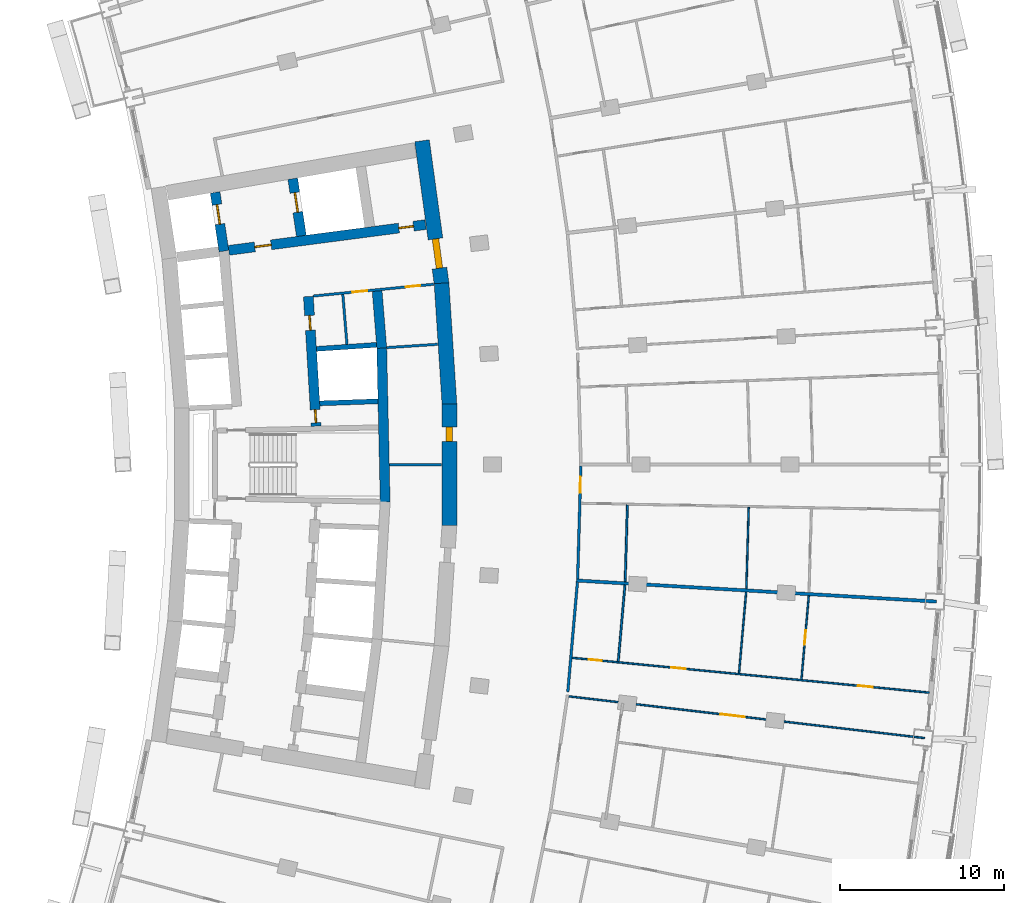
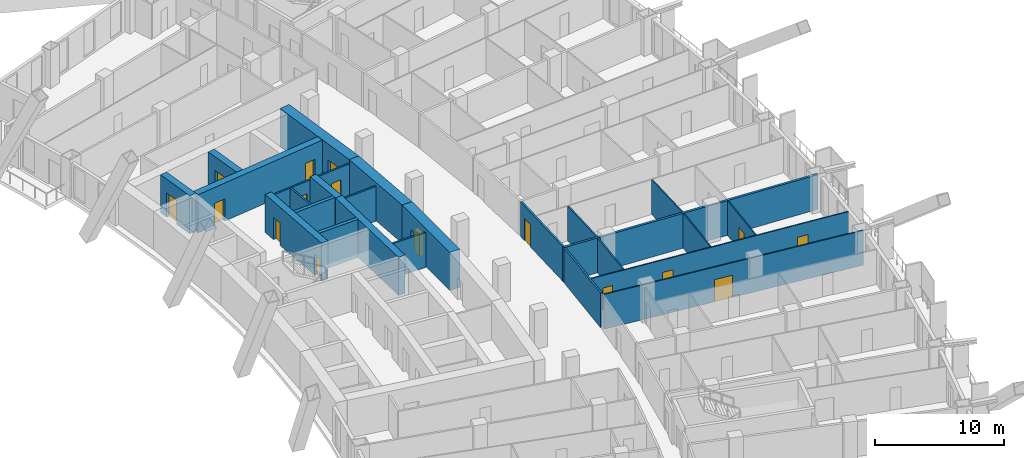
# One storey, part 17 of 25: 25 walls, 16 doors, 16 openings.
"""IFC4 building model written with IfcOpenShell, lengths in metres."""

from ifc_helpers import new_model, si_unit, direction, frame, frame_2d, origin, place, context, subcontext, project, spatial, rectangle, extrude, material, layer, layer_set, type_object, element, fill, save


model = new_model("IFC4")

# Units and contexts
model_context = context("Model", 3, precision=1e-05, world=origin(), true_north=direction((0.0, 1.0)))
body_context = subcontext(model_context, "Body", "Model", "MODEL_VIEW")
ifc_project = project(units=[si_unit("LENGTHUNIT", "METRE"), si_unit("AREAUNIT", "SQUARE_METRE"), si_unit("VOLUMEUNIT", "CUBIC_METRE"), si_unit("PLANEANGLEUNIT", "RADIAN"), si_unit("MASSUNIT", "GRAM", prefix="KILO")], contexts=[model_context])

# Site, building, storey
site_placement = place(None, origin())
site = spatial("IfcSite", under=ifc_project, at=site_placement, CompositionType="ELEMENT")
building_placement = place(site_placement, origin())
building = spatial("IfcBuilding", under=site, at=building_placement, Name="Alderwake Tower", CompositionType="ELEMENT")
storey_placement = place(building_placement, frame((0.0, 0.0, 42.800048828125)))
storey = spatial("IfcBuildingStorey", under=building, at=storey_placement, Name="L09", CompositionType="ELEMENT", Elevation=42.800048828125)

# Walls
ifc_material_1 = material(Name="Gypsum shaft wall system, rated")
ifc_layer_1 = layer(ifc_material_1, 0.14990234375)
ifc_layer_set_1 = layer_set([ifc_layer_1], Name="Core room partition 150")
wall_type_1 = type_object("IfcWallType", Name="Core room partition 150", PredefinedType="PARTITIONING", material=ifc_layer_set_1)
wall_1_placement = place(storey_placement, frame((26.94970703125, 68.3203125, 0.0), z_axis=(0.0, 0.0, 1.0), x_axis=(-0.082463525817, 0.996594083321, 0.0)))
element("IfcWall", 1, at=wall_1_placement, inside=storey, type_object=wall_type_1, Name="CW/L09/PA+107_+70", PredefinedType="PARTITIONING", context=body_context, shape_type="SweptSolid", body=[
    extrude(rectangle(XDim=3.055419921875, YDim=0.14990234375, at=frame_2d((1.52783203125, 0.0))), origin(), (0.0, 0.0, 1.0), 3.280029296875),
])
wall_2_placement = place(storey_placement, frame((29.526123046875, 61.0, 0.0), z_axis=(0.0, 0.0, 1.0), x_axis=(1.0, 0.0, 0.0)))
element("IfcWall", 2, at=wall_2_placement, inside=storey, type_object=wall_type_1, Name="CW/L09/PR+0_+128", PredefinedType="PARTITIONING", context=body_context, shape_type="SweptSolid", body=[
    extrude(rectangle(XDim=3.18408203125, YDim=0.14990234375, at=frame_2d((1.592041015625, 0.0))), origin(), (0.0, 0.0, 1.0), 3.280029296875),
])
wall_3_placement = place(storey_placement, frame((29.36865234375, 68.1220703125, 0.0), z_axis=(0.0, 0.0, 1.0), x_axis=(0.997885090452, 0.065002663433, 0.0)))
element("IfcWall", 3, at=wall_3_placement, inside=storey, type_object=wall_type_1, Name="CW/L09/PR+68_+128", PredefinedType="PARTITIONING", context=body_context, shape_type="SweptSolid", body=[
    extrude(rectangle(XDim=3.10986328125, YDim=0.14990234375, at=frame_2d((1.554931640625, 0.0))), origin(), (0.0, 0.0, 1.0), 3.280029296875),
])

# Wall, openings, doors
wall_4_placement = place(storey_placement, frame((32.233642578125, 71.982177734375, 0.0), z_axis=(0.0, 0.0, 1.0), x_axis=(-0.995245540971, -0.097397706226, 0.0)))
wall_4 = element("IfcWall", 4, at=wall_4_placement, inside=storey, type_object=wall_type_1, Name="CW/L09/PR+102_+86", PredefinedType="PARTITIONING", context=body_context, shape_type="SweptSolid", body=[
    extrude(rectangle(XDim=7.36962890625, YDim=0.14990234375, at=frame_2d((3.684814453125, 0.0))), origin(), (0.0, 0.0, 1.0), 3.280029296875),
])
opening_1_placement = place(wall_4_placement, frame((4.069580078125, 0.0, 0.0)))
opening_1 = element("IfcOpeningElement", 5, at=opening_1_placement, cuts=wall_4, Name="Opening C022", PredefinedType="OPENING", context=body_context, shape_type="SweptSolid", body=[
    extrude(rectangle(XDim=0.89990234375, YDim=2.10009765625, at=frame_2d((0.449951171875, 1.050048828125))), frame((0.0, 0.0849609375, 0.0), z_axis=(0.0, -1.0, 0.0), x_axis=(1.0, 0.0, 0.0)), (0.0, 0.0, 1.0), 0.169921875),
])
opening_2_placement = place(wall_4_placement, frame((0.819580078125, 0.0, 0.0)))
opening_2 = element("IfcOpeningElement", 6, at=opening_2_placement, cuts=wall_4, Name="Opening C036", PredefinedType="OPENING", context=body_context, shape_type="SweptSolid", body=[
    extrude(rectangle(XDim=0.89990234375, YDim=2.10009765625, at=frame_2d((0.449951171875, 1.050048828125))), frame((0.0, 0.0849609375, 0.0), z_axis=(0.0, -1.0, 0.0), x_axis=(1.0, 0.0, 0.0)), (0.0, 0.0, 1.0), 0.169921875),
])
ifc_material_2 = material(Name="Painted steel leaf", Category="steel")
door_type_1 = type_object("IfcDoorType", Name="Core room door 900", OperationType="SINGLE_SWING_LEFT", PredefinedType="DOOR", material=ifc_material_2)
door_1_placement = place(opening_1_placement, origin())
door_1 = element("IfcDoor", 7, at=door_1_placement, inside=storey, type_object=door_type_1, Name="Room door", OperationType="SINGLE_SWING_RIGHT", OverallHeight=2.10009765625, OverallWidth=0.89990234375, PredefinedType="DOOR", context=body_context, shape_type="SweptSolid", body=[
    extrude(rectangle(XDim=0.89990234375, YDim=2.10009765625, at=frame_2d((0.449951171875, 1.050048828125))), frame((0.0, 0.02490234375, 0.0), z_axis=(0.0, -1.0, 0.0), x_axis=(1.0, 0.0, 0.0)), (0.0, 0.0, 1.0), 0.050048828125),
])
fill(opening_1, door_1)
door_2_placement = place(opening_2_placement, origin())
door_2 = element("IfcDoor", 8, at=door_2_placement, inside=storey, type_object=door_type_1, Name="Room door", OperationType="SINGLE_SWING_RIGHT", OverallHeight=2.10009765625, OverallWidth=0.89990234375, PredefinedType="DOOR", context=body_context, shape_type="SweptSolid", body=[
    extrude(rectangle(XDim=0.89990234375, YDim=2.10009765625, at=frame_2d((0.449951171875, 1.050048828125))), frame((0.0, 0.02490234375, 0.0), z_axis=(0.0, -1.0, 0.0), x_axis=(1.0, 0.0, 0.0)), (0.0, 0.0, 1.0), 0.050048828125),
])
fill(opening_2, door_2)

# Wall, opening, door
ifc_material_3 = material(Name="Concrete C70/85", Category="concrete")
ifc_layer_2 = layer(ifc_material_3, 0.89990234375)
ifc_layer_set_2 = layer_set([ifc_layer_2], Name="Core wall outer 900 C70-85")
wall_type_2 = type_object("IfcWallType", Name="Core wall outer 900 C70-85", PredefinedType="SHEAR", material=ifc_layer_set_2)
wall_5_placement = place(storey_placement, frame((33.190185546875, 64.69677734375, 0.0), z_axis=(0.0, 0.0, 1.0), x_axis=(0.0, -1.0, 0.0)))
wall_5 = element("IfcWall", 9, at=wall_5_placement, inside=storey, type_object=wall_type_2, Name="Core wall CW.013", PredefinedType="SHEAR", context=body_context, shape_type="SweptSolid", body=[
    extrude(rectangle(XDim=7.3935546875, YDim=0.89990234375, at=frame_2d((3.69677734375, 0.0))), origin(), (0.0, 0.0, 1.0), 3.599853515625),
])
opening_3_placement = place(wall_5_placement, frame((1.405517578125, 0.0, 0.0)))
opening_3 = element("IfcOpeningElement", 10, at=opening_3_placement, cuts=wall_5, Name="Opening C033", PredefinedType="OPENING", context=body_context, shape_type="SweptSolid", body=[
    extrude(rectangle(XDim=0.89990234375, YDim=2.10009765625, at=frame_2d((0.449951171875, 1.050048828125))), frame((0.0, 0.4599609375, 0.0), z_axis=(0.0, -1.0, 0.0), x_axis=(1.0, 0.0, 0.0)), (0.0, 0.0, 1.0), 0.919921875),
])
door_3_placement = place(opening_3_placement, origin())
door_3 = element("IfcDoor", 11, at=door_3_placement, inside=storey, type_object=door_type_1, Name="Room door", OperationType="SINGLE_SWING_LEFT", OverallHeight=2.10009765625, OverallWidth=0.89990234375, PredefinedType="DOOR", context=body_context, shape_type="SweptSolid", body=[
    extrude(rectangle(XDim=0.89990234375, YDim=2.10009765625, at=frame_2d((0.449951171875, 1.050048828125))), frame((0.0, 0.199951171875, 0.0), z_axis=(0.0, -1.0, 0.0), x_axis=(1.0, 0.0, 0.0)), (0.0, 0.0, 1.0), 0.39990234375),
])
fill(opening_3, door_3)

# Wall
wall_6_placement = place(storey_placement, frame((33.191162109375, 64.66650390625, 0.0), z_axis=(0.0, 0.0, 1.0), x_axis=(-0.064976219143, 0.997886812693, 0.0)))
element("IfcWall", 12, at=wall_6_placement, inside=storey, type_object=wall_type_2, Name="Core wall CW.010", PredefinedType="SHEAR", context=body_context, shape_type="SweptSolid", body=[
    extrude(rectangle(XDim=7.39453125, YDim=0.89990234375, at=frame_2d((3.697265625, 0.0))), origin(), (0.0, 0.0, 1.0), 3.599853515625),
])

# Wall, opening, door
wall_7_placement = place(storey_placement, frame((31.520263671875, 80.7177734375, 0.0), z_axis=(0.0, 0.0, 1.0), x_axis=(0.135844728876, -0.990730139663, 0.0)))
wall_7 = element("IfcWall", 13, at=wall_7_placement, inside=storey, type_object=wall_type_2, Name="Core wall CW.009", PredefinedType="SHEAR", context=body_context, shape_type="SweptSolid", body=[
    extrude(rectangle(XDim=8.78662109375, YDim=0.89990234375, at=frame_2d((4.393310546875, 0.0))), origin(), (0.0, 0.0, 1.0), 3.599853515625),
])
opening_4_placement = place(wall_7_placement, frame((6.02978515625, 0.0, 0.0)))
opening_4 = element("IfcOpeningElement", 14, at=opening_4_placement, cuts=wall_7, Name="Opening C001", PredefinedType="OPENING", context=body_context, shape_type="SweptSolid", body=[
    extrude(rectangle(XDim=1.800048828125, YDim=2.10009765625, at=frame_2d((0.89990234375, 1.050048828125))), frame((0.0, 0.4599609375, 0.0), z_axis=(0.0, -1.0, 0.0), x_axis=(1.0, 0.0, 0.0)), (0.0, 0.0, 1.0), 0.919921875),
])
ifc_material_4 = material(Name="Steel-framed fire door leaves", Category="steel")
door_type_2 = type_object("IfcDoorType", Name="Core double door 1800 fire-rated", OperationType="DOUBLE_DOOR_SINGLE_SWING", PredefinedType="DOOR", material=ifc_material_4)
door_4_placement = place(opening_4_placement, origin())
door_4 = element("IfcDoor", 15, at=door_4_placement, inside=storey, type_object=door_type_2, Name="Lobby double door", OperationType="DOUBLE_DOOR_SINGLE_SWING", OverallHeight=2.10009765625, OverallWidth=1.800048828125, PredefinedType="DOOR", context=body_context, shape_type="SweptSolid", body=[
    extrude(rectangle(XDim=1.800048828125, YDim=2.10009765625, at=frame_2d((0.89990234375, 1.050048828125))), frame((0.0, 0.199951171875, 0.0), z_axis=(0.0, -1.0, 0.0), x_axis=(1.0, 0.0, 0.0)), (0.0, 0.0, 1.0), 0.39990234375),
])
fill(opening_4, door_4)

# Walls
ifc_material_5 = material(Name="Concrete C70/85", Category="concrete")
ifc_layer_3 = layer(ifc_material_5, 0.300048828125)
ifc_layer_set_3 = layer_set([ifc_layer_3], Name="Core wall shaft 300 C70-85")
wall_type_3 = type_object("IfcWallType", Name="Core wall shaft 300 C70-85", PredefinedType="SHEAR", material=ifc_layer_set_3)
wall_8_placement = place(storey_placement, frame((25.291259765625, 64.72705078125, 0.0), z_axis=(0.0, 0.0, 1.0), x_axis=(0.999373231824, 0.035399767136, 0.0)))
element("IfcWall", 16, at=wall_8_placement, inside=storey, type_object=wall_type_3, Name="Core wall CW.060", PredefinedType="SHEAR", context=body_context, shape_type="SweptSolid", body=[
    extrude(rectangle(XDim=3.5517578125, YDim=0.300048828125, at=frame_2d((1.77587890625, 0.0))), origin(), (0.0, 0.0, 1.0), 3.599853515625),
])
wall_9_placement = place(storey_placement, frame((25.09228515625, 68.04541015625, 0.0), z_axis=(0.0, 0.0, 1.0), x_axis=(0.997760946222, 0.066881194621, 0.0)))
element("IfcWall", 17, at=wall_9_placement, inside=storey, type_object=wall_type_3, Name="Core wall CW.063", PredefinedType="SHEAR", context=body_context, shape_type="SweptSolid", body=[
    extrude(rectangle(XDim=3.668701171875, YDim=0.300048828125, at=frame_2d((1.83447265625, 0.0))), origin(), (0.0, 0.0, 1.0), 3.599853515625),
])

# Wall, opening, door
ifc_material_6 = material(Name="Concrete C70/85", Category="concrete")
ifc_layer_4 = layer(ifc_material_6, 0.60009765625)
ifc_layer_set_4 = layer_set([ifc_layer_4], Name="Core wall spine 600 C70-85")
wall_type_4 = type_object("IfcWallType", Name="Core wall spine 600 C70-85", PredefinedType="SHEAR", material=ifc_layer_set_4)
wall_10_placement = place(storey_placement, frame((19.45458984375, 73.99755859375, 0.0), z_axis=(0.0, 0.0, 1.0), x_axis=(-0.147502312715, 0.989061710786, 0.0)))
wall_10 = element("IfcWall", 18, at=wall_10_placement, inside=storey, type_object=wall_type_4, Name="Core wall CW.030", PredefinedType="SHEAR", context=body_context, shape_type="SweptSolid", body=[
    extrude(rectangle(XDim=3.6181640625, YDim=0.60009765625, at=frame_2d((1.80908203125, 0.0))), origin(), (0.0, 0.0, 1.0), 3.599853515625),
])
opening_5_placement = place(wall_10_placement, frame((1.664306640625, 0.0, 0.0)))
opening_5 = element("IfcOpeningElement", 19, at=opening_5_placement, cuts=wall_10, Name="Opening LD-FF1", PredefinedType="OPENING", context=body_context, shape_type="SweptSolid", body=[
    extrude(rectangle(XDim=1.199951171875, YDim=2.300048828125, at=frame_2d((0.60009765625, 1.14990234375))), frame((0.0, 0.31005859375, 0.0), z_axis=(0.0, -1.0, 0.0), x_axis=(1.0, 0.0, 0.0)), (0.0, 0.0, 1.0), 0.6201171875),
])
ifc_material_7 = material(Name="Stainless steel sliding leaf", Category="steel")
door_type_3 = type_object("IfcDoorType", Name="Lift landing door 1200", OperationType="SLIDING_TO_LEFT", PredefinedType="DOOR", material=ifc_material_7)
door_5_placement = place(opening_5_placement, origin())
door_5 = element("IfcDoor", 20, at=door_5_placement, inside=storey, type_object=door_type_3, Name="Lift landing door FF1", OperationType="SLIDING_TO_LEFT", OverallHeight=2.300048828125, OverallWidth=1.199951171875, PredefinedType="DOOR", context=body_context, shape_type="SweptSolid", body=[
    extrude(rectangle(XDim=1.199951171875, YDim=2.300048828125, at=frame_2d((0.60009765625, 1.14990234375))), frame((0.0, 0.050048828125, 0.0), z_axis=(0.0, -1.0, 0.0), x_axis=(1.0, 0.0, 0.0)), (0.0, 0.0, 1.0), 0.10009765625),
])
fill(opening_5, door_5)

# Wall, openings, doors
wall_11_placement = place(storey_placement, frame((25.073974609375, 63.335693359375, 0.0), z_axis=(0.0, 0.0, 1.0), x_axis=(-0.059848641072, 0.998207463487, 0.0)))
wall_11 = element("IfcWall", 21, at=wall_11_placement, inside=storey, type_object=wall_type_4, Name="Core wall CW.045", PredefinedType="SHEAR", context=body_context, shape_type="SweptSolid", body=[
    extrude(rectangle(XDim=7.913818359375, YDim=0.60009765625, at=frame_2d((3.95703125, 0.0))), origin(), (0.0, 0.0, 1.0), 3.599853515625),
])
opening_6_placement = place(wall_11_placement, frame((0.216064453125, 0.0, 0.0)))
opening_6 = element("IfcOpeningElement", 22, at=opening_6_placement, cuts=wall_11, Name="Opening C005", PredefinedType="OPENING", context=body_context, shape_type="SweptSolid", body=[
    extrude(rectangle(XDim=0.800048828125, YDim=2.0, at=frame_2d((0.39990234375, 1.0))), frame((0.0, 0.31005859375, 0.0), z_axis=(0.0, -1.0, 0.0), x_axis=(1.0, 0.0, 0.0)), (0.0, 0.0, 1.0), 0.6201171875),
])
opening_7_placement = place(wall_11_placement, frame((5.856201171875, 0.0, 0.0)))
opening_7 = element("IfcOpeningElement", 23, at=opening_7_placement, cuts=wall_11, Name="Opening C024", PredefinedType="OPENING", context=body_context, shape_type="SweptSolid", body=[
    extrude(rectangle(XDim=0.89990234375, YDim=2.10009765625, at=frame_2d((0.449951171875, 1.050048828125))), frame((0.0, 0.31005859375, 0.0), z_axis=(0.0, -1.0, 0.0), x_axis=(1.0, 0.0, 0.0)), (0.0, 0.0, 1.0), 0.6201171875),
])
door_6_placement = place(opening_7_placement, origin())
door_6 = element("IfcDoor", 24, at=door_6_placement, inside=storey, type_object=door_type_1, Name="Room door", OperationType="SINGLE_SWING_LEFT", OverallHeight=2.10009765625, OverallWidth=0.89990234375, PredefinedType="DOOR", context=body_context, shape_type="SweptSolid", body=[
    extrude(rectangle(XDim=0.89990234375, YDim=2.10009765625, at=frame_2d((0.449951171875, 1.050048828125))), frame((0.0, 0.050048828125, 0.0), z_axis=(0.0, -1.0, 0.0), x_axis=(1.0, 0.0, 0.0)), (0.0, 0.0, 1.0), 0.10009765625),
])
fill(opening_7, door_6)
ifc_material_8 = material(Name="Painted steel leaf, rated", Category="steel")
door_type_4 = type_object("IfcDoorType", Name="Riser access door 800", OperationType="SINGLE_SWING_LEFT", PredefinedType="DOOR", material=ifc_material_8)
door_7_placement = place(opening_6_placement, origin())
door_7 = element("IfcDoor", 25, at=door_7_placement, inside=storey, type_object=door_type_4, Name="Riser access door", OperationType="SINGLE_SWING_LEFT", OverallHeight=2.0, OverallWidth=0.800048828125, PredefinedType="DOOR", context=body_context, shape_type="SweptSolid", body=[
    extrude(rectangle(XDim=0.800048828125, YDim=2.0, at=frame_2d((0.39990234375, 1.0))), frame((0.0, 0.050048828125, 0.0), z_axis=(0.0, -1.0, 0.0), x_axis=(1.0, 0.0, 0.0)), (0.0, 0.0, 1.0), 0.10009765625),
])
fill(opening_6, door_7)

# Wall, opening, door
wall_12_placement = place(storey_placement, frame((24.173095703125, 74.927734375, 0.0), z_axis=(0.0, 0.0, 1.0), x_axis=(-0.14910953086, 0.988820685365, 0.0)))
wall_12 = element("IfcWall", 26, at=wall_12_placement, inside=storey, type_object=wall_type_4, Name="Core wall CW.044", PredefinedType="SHEAR", context=body_context, shape_type="SweptSolid", body=[
    extrude(rectangle(XDim=3.5234375, YDim=0.60009765625, at=frame_2d((1.76171875, 0.0))), origin(), (0.0, 0.0, 1.0), 3.599853515625),
])
opening_8_placement = place(wall_12_placement, frame((1.4619140625, 0.0, 0.0)))
opening_8 = element("IfcOpeningElement", 27, at=opening_8_placement, cuts=wall_12, Name="Opening LD-FF2", PredefinedType="OPENING", context=body_context, shape_type="SweptSolid", body=[
    extrude(rectangle(XDim=1.199951171875, YDim=2.300048828125, at=frame_2d((0.60009765625, 1.14990234375))), frame((0.0, 0.31005859375, 0.0), z_axis=(0.0, -1.0, 0.0), x_axis=(1.0, 0.0, 0.0)), (0.0, 0.0, 1.0), 0.6201171875),
])
door_8_placement = place(opening_8_placement, origin())
door_8 = element("IfcDoor", 28, at=door_8_placement, inside=storey, type_object=door_type_3, Name="Lift landing door FF2", OperationType="SLIDING_TO_LEFT", OverallHeight=2.300048828125, OverallWidth=1.199951171875, PredefinedType="DOOR", context=body_context, shape_type="SweptSolid", body=[
    extrude(rectangle(XDim=1.199951171875, YDim=2.300048828125, at=frame_2d((0.60009765625, 1.14990234375))), frame((0.0, 0.050048828125, 0.0), z_axis=(0.0, -1.0, 0.0), x_axis=(1.0, 0.0, 0.0)), (0.0, 0.0, 1.0), 0.10009765625),
])
fill(opening_8, door_8)

# Walls
wall_13_placement = place(storey_placement, frame((29.276611328125, 58.714111328125, 0.0), z_axis=(0.0, 0.0, 1.0), x_axis=(-0.022102514973, 0.999755709577, 0.0)))
element("IfcWall", 29, at=wall_13_placement, inside=storey, type_object=wall_type_4, Name="Core wall CW.007", PredefinedType="SHEAR", context=body_context, shape_type="SweptSolid", body=[
    extrude(rectangle(XDim=9.39990234375, YDim=0.60009765625, at=frame_2d((4.699951171875, 0.0))), origin(), (0.0, 0.0, 1.0), 3.599853515625),
])
wall_14_placement = place(storey_placement, frame((29.069580078125, 68.09326171875, 0.0), z_axis=(0.0, 0.0, 1.0), x_axis=(-0.080849700234, 0.996726304445, 0.0)))
element("IfcWall", 30, at=wall_14_placement, inside=storey, type_object=wall_type_4, Name="Core wall CW.003", PredefinedType="SHEAR", context=body_context, shape_type="SweptSolid", body=[
    extrude(rectangle(XDim=3.48779296875, YDim=0.60009765625, at=frame_2d((1.743896484375, 0.0))), origin(), (0.0, 0.0, 1.0), 3.599853515625),
])

# Wall, openings, doors
wall_15_placement = place(storey_placement, frame((31.735595703125, 75.6142578125, 0.0), z_axis=(0.0, 0.0, 1.0), x_axis=(-0.991553829991, -0.129695806526, 0.0)))
wall_15 = element("IfcWall", 31, at=wall_15_placement, inside=storey, type_object=wall_type_4, Name="Core wall CW.052", PredefinedType="SHEAR", context=body_context, shape_type="SweptSolid", body=[
    extrude(rectangle(XDim=12.0869140625, YDim=0.60009765625, at=frame_2d((6.04345703125, 0.0))), origin(), (0.0, 0.0, 1.0), 3.599853515625),
])
opening_9_placement = place(wall_15_placement, frame((9.4873046875, 0.0, 0.0)))
opening_9 = element("IfcOpeningElement", 32, at=opening_9_placement, cuts=wall_15, Name="Opening C002", PredefinedType="OPENING", context=body_context, shape_type="SweptSolid", body=[
    extrude(rectangle(XDim=1.0, YDim=2.10009765625, at=frame_2d((0.5, 1.050048828125))), frame((0.0, 0.31005859375, 0.0), z_axis=(0.0, -1.0, 0.0), x_axis=(1.0, 0.0, 0.0)), (0.0, 0.0, 1.0), 0.6201171875),
])
opening_10_placement = place(wall_15_placement, frame((0.7373046875, 0.0, 0.0)))
opening_10 = element("IfcOpeningElement", 33, at=opening_10_placement, cuts=wall_15, Name="Opening C020", PredefinedType="OPENING", context=body_context, shape_type="SweptSolid", body=[
    extrude(rectangle(XDim=0.89990234375, YDim=2.10009765625, at=frame_2d((0.449951171875, 1.050048828125))), frame((0.0, 0.31005859375, 0.0), z_axis=(0.0, -1.0, 0.0), x_axis=(1.0, 0.0, 0.0)), (0.0, 0.0, 1.0), 0.6201171875),
])
door_9_placement = place(opening_10_placement, origin())
door_9 = element("IfcDoor", 34, at=door_9_placement, inside=storey, type_object=door_type_1, Name="Room door", OperationType="SINGLE_SWING_LEFT", OverallHeight=2.10009765625, OverallWidth=0.89990234375, PredefinedType="DOOR", context=body_context, shape_type="SweptSolid", body=[
    extrude(rectangle(XDim=0.89990234375, YDim=2.10009765625, at=frame_2d((0.449951171875, 1.050048828125))), frame((0.0, 0.050048828125, 0.0), z_axis=(0.0, -1.0, 0.0), x_axis=(1.0, 0.0, 0.0)), (0.0, 0.0, 1.0), 0.10009765625),
])
fill(opening_10, door_9)
ifc_material_9 = material(Name="Steel-framed fire door leaf", Category="steel")
door_type_5 = type_object("IfcDoorType", Name="Firefighting lobby door 1000 fire-rated", OperationType="SINGLE_SWING_LEFT", PredefinedType="DOOR", material=ifc_material_9)
door_10_placement = place(opening_9_placement, origin())
door_10 = element("IfcDoor", 35, at=door_10_placement, inside=storey, type_object=door_type_5, Name="Firefighting lobby door", OperationType="SINGLE_SWING_RIGHT", OverallHeight=2.10009765625, OverallWidth=1.0, PredefinedType="DOOR", context=body_context, shape_type="SweptSolid", body=[
    extrude(rectangle(XDim=1.0, YDim=2.10009765625, at=frame_2d((0.5, 1.050048828125))), frame((0.0, 0.050048828125, 0.0), z_axis=(0.0, -1.0, 0.0), x_axis=(1.0, 0.0, 0.0)), (0.0, 0.0, 1.0), 0.10009765625),
])
fill(opening_9, door_10)

# Wall
ifc_material_10 = material(Name="Gypsum board on metal studs, rated")
ifc_layer_5 = layer(ifc_material_10, 0.159912109375)
ifc_layer_set_5 = layer_set([ifc_layer_5], Name="Corridor wall 160")
wall_type_5 = type_object("IfcWallType", Name="Corridor wall 160", PredefinedType="PARTITIONING", material=ifc_layer_set_5)
wall_16_placement = place(storey_placement, frame((40.400390625, 47.15869140625, 0.0), z_axis=(0.0, 0.0, 1.0), x_axis=(0.087437661692, 0.996169993183, 0.0)))
element("IfcWall", 36, at=wall_16_placement, inside=storey, type_object=wall_type_5, Name="WL/L09/W36", PredefinedType="PARTITIONING", context=body_context, shape_type="SweptSolid", body=[
    extrude(rectangle(XDim=6.701171875, YDim=0.159912109375, at=frame_2d((3.3505859375, 0.0))), origin(), (0.0, 0.0, 1.0), 3.280029296875),
])

# Wall, opening, door
wall_17_placement = place(storey_placement, frame((41.196044921875, 60.89892578125, 0.0), z_axis=(0.0, 0.0, 1.0), x_axis=(-0.028865238788, -0.99958331218, 0.0)))
wall_17 = element("IfcWall", 37, at=wall_17_placement, inside=storey, type_object=wall_type_5, Name="WL/L09/W37", PredefinedType="PARTITIONING", context=body_context, shape_type="SweptSolid", body=[
    extrude(rectangle(XDim=6.867919921875, YDim=0.159912109375, at=frame_2d((3.43408203125, 0.0))), origin(), (0.0, 0.0, 1.0), 3.280029296875),
])
opening_11_placement = place(wall_17_placement, frame((0.627685546875, 0.0, 0.0)))
opening_11 = element("IfcOpeningElement", 38, at=opening_11_placement, cuts=wall_17, Name="Opening R02-U07.3", PredefinedType="OPENING", context=body_context, shape_type="SweptSolid", body=[
    extrude(rectangle(XDim=1.0, YDim=2.10009765625, at=frame_2d((0.5, 1.050048828125))), frame((0.0, 0.08984375, 0.0), z_axis=(0.0, -1.0, 0.0), x_axis=(1.0, 0.0, 0.0)), (0.0, 0.0, 1.0), 0.179931640625),
])
ifc_material_11 = material(Name="Solid timber leaf in steel frame", Category="steel")
door_type_6 = type_object("IfcDoorType", Name="Flat entrance door 1000 fire-rated", OperationType="SINGLE_SWING_LEFT", PredefinedType="DOOR", material=ifc_material_11)
door_11_placement = place(opening_11_placement, origin())
door_11 = element("IfcDoor", 39, at=door_11_placement, inside=storey, type_object=door_type_6, Name="DR/L09/U07.3", OperationType="SINGLE_SWING_LEFT", OverallHeight=2.10009765625, OverallWidth=1.0, PredefinedType="DOOR", context=body_context, shape_type="SweptSolid", body=[
    extrude(rectangle(XDim=1.0, YDim=2.10009765625, at=frame_2d((0.5, 1.050048828125))), frame((0.0, 0.02490234375, 0.0), z_axis=(0.0, -1.0, 0.0), x_axis=(1.0, 0.0, 0.0)), (0.0, 0.0, 1.0), 0.050048828125),
])
fill(opening_11, door_11)

# Wall
ifc_material_12 = material(Name="Dense block masonry wall", Category="masonry")
ifc_layer_6 = layer(ifc_material_12, 0.199951171875)
ifc_layer_set_6 = layer_set([ifc_layer_6], Name="Party wall 200")
wall_type_6 = type_object("IfcWallType", Name="Party wall 200", PredefinedType="SOLIDWALL", material=ifc_layer_set_6)
wall_18_placement = place(storey_placement, frame((62.85595703125, 52.656005859375, 0.0), z_axis=(0.0, 0.0, 1.0), x_axis=(-0.998295452379, 0.058362571568, 0.0)))
element("IfcWall", 40, at=wall_18_placement, inside=storey, type_object=wall_type_6, Name="WL/L09/W10", PredefinedType="SOLIDWALL", context=body_context, shape_type="SweptSolid", body=[
    extrude(rectangle(XDim=21.978271484375, YDim=0.199951171875, at=frame_2d((10.9892578125, 0.0))), origin(), (0.0, 0.0, 1.0), 3.280029296875),
])

# Wall, opening, door
ifc_material_13 = material(Name="Gypsum board on metal studs")
ifc_layer_7 = layer(ifc_material_13, 0.10009765625)
ifc_layer_set_7 = layer_set([ifc_layer_7], Name="Unit partition 100")
wall_type_7 = type_object("IfcWallType", Name="Unit partition 100", PredefinedType="PARTITIONING", material=ifc_layer_set_7)
wall_19_placement = place(storey_placement, frame((40.45654296875, 46.8837890625, 0.0), z_axis=(0.0, 0.0, 1.0), x_axis=(0.993196735589, -0.116448462487, 0.0)))
wall_19 = element("IfcWall", 41, at=wall_19_placement, inside=storey, type_object=wall_type_7, Name="WL/L09/W68", PredefinedType="PARTITIONING", context=body_context, shape_type="SweptSolid", body=[
    extrude(rectangle(XDim=21.81884765625, YDim=0.10009765625, at=frame_2d((10.909423828125, 0.0))), origin(), (0.0, 0.0, 1.0), 3.280029296875),
])
opening_12_placement = place(wall_19_placement, frame((9.304931640625, 0.0, 0.0)))
opening_12 = element("IfcOpeningElement", 42, at=opening_12_placement, cuts=wall_19, Name="Opening R02-U06.10", PredefinedType="OPENING", context=body_context, shape_type="SweptSolid", body=[
    extrude(rectangle(XDim=1.5, YDim=2.10009765625, at=frame_2d((0.75, 1.050048828125))), frame((0.0, 0.06005859375, 0.0), z_axis=(0.0, -1.0, 0.0), x_axis=(1.0, 0.0, 0.0)), (0.0, 0.0, 1.0), 0.1201171875),
])
ifc_material_14 = material(Name="Painted timber leaves", Category="wood")
door_type_7 = type_object("IfcDoorType", Name="Double leaf door 1500", OperationType="DOUBLE_DOOR_SINGLE_SWING", PredefinedType="DOOR", material=ifc_material_14)
door_12_placement = place(opening_12_placement, origin())
door_12 = element("IfcDoor", 43, at=door_12_placement, inside=storey, type_object=door_type_7, Name="DR/L09/U06.10", OperationType="DOUBLE_DOOR_SINGLE_SWING", OverallHeight=2.10009765625, OverallWidth=1.5, PredefinedType="DOOR", context=body_context, shape_type="SweptSolid", body=[
    extrude(rectangle(XDim=1.5, YDim=2.10009765625, at=frame_2d((0.75, 1.050048828125))), frame((0.0, 0.02490234375, 0.0), z_axis=(0.0, -1.0, 0.0), x_axis=(1.0, 0.0, 0.0)), (0.0, 0.0, 1.0), 0.050048828125),
])
fill(opening_12, door_12)

# Wall, openings, doors
wall_20_placement = place(storey_placement, frame((40.66064453125, 49.231201171875, 0.0), z_axis=(0.0, 0.0, 1.0), x_axis=(0.995277449828, -0.097071096952, 0.0)))
wall_20 = element("IfcWall", 44, at=wall_20_placement, inside=storey, type_object=wall_type_7, Name="WL/L09/W69", PredefinedType="PARTITIONING", context=body_context, shape_type="SweptSolid", body=[
    extrude(rectangle(XDim=21.863525390625, YDim=0.10009765625, at=frame_2d((10.931640625, 0.0))), origin(), (0.0, 0.0, 1.0), 3.280029296875),
])
opening_13_placement = place(wall_20_placement, frame((6.065673828125, 0.0, 0.0)))
opening_13 = element("IfcOpeningElement", 45, at=opening_13_placement, cuts=wall_20, Name="Opening R02-U06.6", PredefinedType="OPENING", context=body_context, shape_type="SweptSolid", body=[
    extrude(rectangle(XDim=0.89990234375, YDim=2.10009765625, at=frame_2d((0.449951171875, 1.050048828125))), frame((0.0, 0.06005859375, 0.0), z_axis=(0.0, -1.0, 0.0), x_axis=(1.0, 0.0, 0.0)), (0.0, 0.0, 1.0), 0.1201171875),
])
opening_14_placement = place(wall_20_placement, frame((1.010009765625, 0.0, 0.0)))
opening_14 = element("IfcOpeningElement", 46, at=opening_14_placement, cuts=wall_20, Name="Opening R02-U06.7", PredefinedType="OPENING", context=body_context, shape_type="SweptSolid", body=[
    extrude(rectangle(XDim=0.800048828125, YDim=2.10009765625, at=frame_2d((0.39990234375, 1.050048828125))), frame((0.0, 0.06005859375, 0.0), z_axis=(0.0, -1.0, 0.0), x_axis=(1.0, 0.0, 0.0)), (0.0, 0.0, 1.0), 0.1201171875),
])
opening_15_placement = place(wall_20_placement, frame((17.497802734375, 0.0, 0.0)))
opening_15 = element("IfcOpeningElement", 47, at=opening_15_placement, cuts=wall_20, Name="Opening R02-U06.8", PredefinedType="OPENING", context=body_context, shape_type="SweptSolid", body=[
    extrude(rectangle(XDim=0.89990234375, YDim=2.10009765625, at=frame_2d((0.449951171875, 1.050048828125))), frame((0.0, 0.06005859375, 0.0), z_axis=(0.0, -1.0, 0.0), x_axis=(1.0, 0.0, 0.0)), (0.0, 0.0, 1.0), 0.1201171875),
])
ifc_material_15 = material(Name="Painted timber leaf", Category="wood")
door_type_8 = type_object("IfcDoorType", Name="Bathroom door 800", OperationType="SINGLE_SWING_LEFT", PredefinedType="DOOR", material=ifc_material_15)
door_13_placement = place(opening_14_placement, origin())
door_13 = element("IfcDoor", 48, at=door_13_placement, inside=storey, type_object=door_type_8, Name="DR/L09/U06.7", OperationType="SINGLE_SWING_LEFT", OverallHeight=2.10009765625, OverallWidth=0.800048828125, PredefinedType="DOOR", context=body_context, shape_type="SweptSolid", body=[
    extrude(rectangle(XDim=0.800048828125, YDim=2.10009765625, at=frame_2d((0.39990234375, 1.050048828125))), frame((0.0, 0.02490234375, 0.0), z_axis=(0.0, -1.0, 0.0), x_axis=(1.0, 0.0, 0.0)), (0.0, 0.0, 1.0), 0.050048828125),
])
fill(opening_14, door_13)
ifc_material_16 = material(Name="Painted timber leaf", Category="wood")
door_type_9 = type_object("IfcDoorType", Name="Room door 900", OperationType="SINGLE_SWING_LEFT", PredefinedType="DOOR", material=ifc_material_16)
door_14_placement = place(opening_13_placement, origin())
door_14 = element("IfcDoor", 49, at=door_14_placement, inside=storey, type_object=door_type_9, Name="DR/L09/U06.6", OperationType="SINGLE_SWING_LEFT", OverallHeight=2.10009765625, OverallWidth=0.89990234375, PredefinedType="DOOR", context=body_context, shape_type="SweptSolid", body=[
    extrude(rectangle(XDim=0.89990234375, YDim=2.10009765625, at=frame_2d((0.449951171875, 1.050048828125))), frame((0.0, 0.02490234375, 0.0), z_axis=(0.0, -1.0, 0.0), x_axis=(1.0, 0.0, 0.0)), (0.0, 0.0, 1.0), 0.050048828125),
])
fill(opening_13, door_14)
door_15_placement = place(opening_15_placement, origin())
door_15 = element("IfcDoor", 50, at=door_15_placement, inside=storey, type_object=door_type_9, Name="DR/L09/U06.8", OperationType="SINGLE_SWING_LEFT", OverallHeight=2.10009765625, OverallWidth=0.89990234375, PredefinedType="DOOR", context=body_context, shape_type="SweptSolid", body=[
    extrude(rectangle(XDim=0.89990234375, YDim=2.10009765625, at=frame_2d((0.449951171875, 1.050048828125))), frame((0.0, 0.02490234375, 0.0), z_axis=(0.0, -1.0, 0.0), x_axis=(1.0, 0.0, 0.0)), (0.0, 0.0, 1.0), 0.050048828125),
])
fill(opening_15, door_15)

# Walls
wall_21_placement = place(storey_placement, frame((50.827392578125, 48.289794921875, 0.0), z_axis=(0.0, 0.0, 1.0), x_axis=(0.087404299635, 0.996172920936, 0.0)))
element("IfcWall", 51, at=wall_21_placement, inside=storey, type_object=wall_type_7, Name="WL/L09/W80", PredefinedType="PARTITIONING", context=body_context, shape_type="SweptSolid", body=[
    extrude(rectangle(XDim=4.963623046875, YDim=0.10009765625, at=frame_2d((2.48193359375, 0.0))), origin(), (0.0, 0.0, 1.0), 3.280029296875),
])
wall_22_placement = place(storey_placement, frame((51.27294921875, 53.43408203125, 0.0), z_axis=(0.0, 0.0, 1.0), x_axis=(0.029312335146, 0.999570301184, 0.0)))
element("IfcWall", 52, at=wall_22_placement, inside=storey, type_object=wall_type_7, Name="WL/L09/W83", PredefinedType="PARTITIONING", context=body_context, shape_type="SweptSolid", body=[
    extrude(rectangle(XDim=4.964111328125, YDim=0.10009765625, at=frame_2d((2.48193359375, 0.0))), origin(), (0.0, 0.0, 1.0), 3.280029296875),
])

# Wall, opening, door
wall_23_placement = place(storey_placement, frame((54.63134765625, 47.9208984375, 0.0), z_axis=(0.0, 0.0, 1.0), x_axis=(0.087274799562, 0.996184274801, 0.0)))
wall_23 = element("IfcWall", 53, at=wall_23_placement, inside=storey, type_object=wall_type_7, Name="WL/L09/W89", PredefinedType="PARTITIONING", context=body_context, shape_type="SweptSolid", body=[
    extrude(rectangle(XDim=5.11083984375, YDim=0.10009765625, at=frame_2d((2.555419921875, 0.0))), origin(), (0.0, 0.0, 1.0), 3.280029296875),
])
opening_16_placement = place(wall_23_placement, frame((2.10546875, 0.0, 0.0)))
opening_16 = element("IfcOpeningElement", 54, at=opening_16_placement, cuts=wall_23, Name="Opening R02-U06.9", PredefinedType="OPENING", context=body_context, shape_type="SweptSolid", body=[
    extrude(rectangle(XDim=0.89990234375, YDim=2.10009765625, at=frame_2d((0.449951171875, 1.050048828125))), frame((0.0, 0.06005859375, 0.0), z_axis=(0.0, -1.0, 0.0), x_axis=(1.0, 0.0, 0.0)), (0.0, 0.0, 1.0), 0.1201171875),
])
door_16_placement = place(opening_16_placement, origin())
door_16 = element("IfcDoor", 55, at=door_16_placement, inside=storey, type_object=door_type_9, Name="DR/L09/U06.9", OperationType="SINGLE_SWING_LEFT", OverallHeight=2.10009765625, OverallWidth=0.89990234375, PredefinedType="DOOR", context=body_context, shape_type="SweptSolid", body=[
    extrude(rectangle(XDim=0.89990234375, YDim=2.10009765625, at=frame_2d((0.449951171875, 1.050048828125))), frame((0.0, 0.02490234375, 0.0), z_axis=(0.0, -1.0, 0.0), x_axis=(1.0, 0.0, 0.0)), (0.0, 0.0, 1.0), 0.050048828125),
])
fill(opening_16, door_16)

# Walls
ifc_material_17 = material(Name="Moisture resistant gypsum board on metal studs")
ifc_layer_8 = layer(ifc_material_17, 0.1201171875)
ifc_layer_set_8 = layer_set([ifc_layer_8], Name="Wet room partition 120")
wall_type_8 = type_object("IfcWallType", Name="Wet room partition 120", PredefinedType="PARTITIONING", material=ifc_layer_set_8)
wall_24_placement = place(storey_placement, frame((43.471435546875, 49.0068359375, 0.0), z_axis=(0.0, 0.0, 1.0), x_axis=(0.087584573872, 0.99615708722, 0.0)))
element("IfcWall", 56, at=wall_24_placement, inside=storey, type_object=wall_type_8, Name="WL/L09/W55", PredefinedType="PARTITIONING", context=body_context, shape_type="SweptSolid", body=[
    extrude(rectangle(XDim=4.677490234375, YDim=0.1201171875, at=frame_2d((2.3388671875, 0.0))), origin(), (0.0, 0.0, 1.0), 3.280029296875),
])
wall_25_placement = place(storey_placement, frame((43.892822265625, 53.865966796875, 0.0), z_axis=(0.0, 0.0, 1.0), x_axis=(0.029256273894, 0.999571943603, 0.0)))
element("IfcWall", 57, at=wall_25_placement, inside=storey, type_object=wall_type_8, Name="WL/L09/W57", PredefinedType="PARTITIONING", context=body_context, shape_type="SweptSolid", body=[
    extrude(rectangle(XDim=4.673095703125, YDim=0.1201171875, at=frame_2d((2.33642578125, 0.0))), origin(), (0.0, 0.0, 1.0), 3.280029296875),
])

save(model, "model.ifc")
